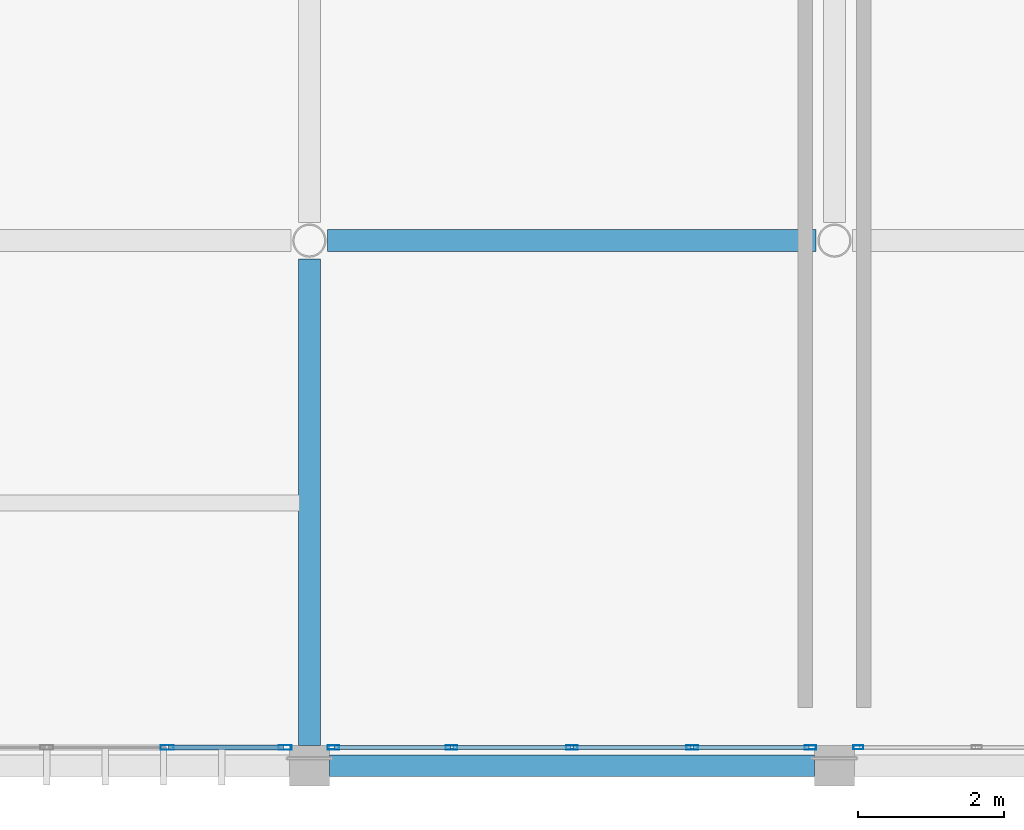
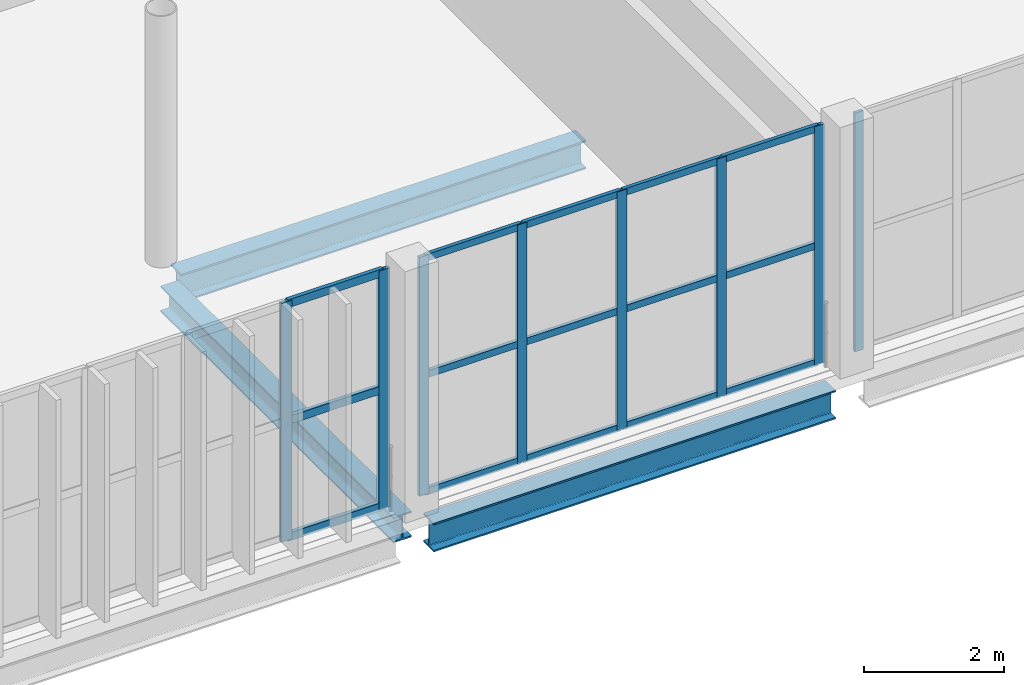
# One storey, part 19 of 81: 23 members, 3 beams, 3 elements without a shape of their own.
"""IFC4 building model written with IfcOpenShell, lengths in metres."""

from ifc_helpers import new_model, si_unit, direction, frame, origin, origin_2d, place, context, subcontext, project, spatial, hollow_rectangle, i_section, extrude, material, material_profile, profile_set, type_object, element, aggregate, save


model = new_model("IFC4")

# Units and contexts
model_context = context("Model", 3, precision=1e-05, world=origin(), true_north=direction((0.0, 1.0)))
body_context = subcontext(model_context, "Body", "Model", "MODEL_VIEW")
ifc_project = project(units=[si_unit("LENGTHUNIT", "METRE"), si_unit("AREAUNIT", "SQUARE_METRE"), si_unit("VOLUMEUNIT", "CUBIC_METRE"), si_unit("PLANEANGLEUNIT", "RADIAN"), si_unit("MASSUNIT", "GRAM", prefix="KILO")], contexts=[model_context])

# Site, building, storey
site_placement = place(None, origin())
site = spatial("IfcSite", under=ifc_project, at=site_placement, CompositionType="ELEMENT")
building_placement = place(site_placement, origin())
building = spatial("IfcBuilding", under=site, at=building_placement, Name="Qandorah Velis Arena", CompositionType="ELEMENT")
storey_placement = place(building_placement, frame((0.0, 0.0, 18.60009765625)))
storey = spatial("IfcBuildingStorey", under=building, at=storey_placement, Name="L04", CompositionType="ELEMENT", Elevation=18.60009765625)

# Curtain wall, member
ifc_material_1 = material(Name="Solar-control low-E double glazing", Category="glass")
curtain_wall_type_1 = type_object("IfcCurtainWallType", Name="ARC-CW-SYS04", PredefinedType="USERDEFINED", material=ifc_material_1)
curtain_wall_1_placement = place(storey_placement, origin())
curtain_wall_1 = element("IfcCurtainWall", 1, at=curtain_wall_1_placement, inside=storey, type_object=curtain_wall_type_1, Name="Unitised curtain wall L04-076", ObjectType="UNITISED CURTAIN WALL", PredefinedType="USERDEFINED")
ifc_material_2 = material(Name="Champagne-bronze anodized aluminium 6063-T6", Category="aluminium")
ifc_material_profile_1 = material_profile(ifc_material_2, hollow_rectangle(XDim=0.054931640625, YDim=0.139892578125, WallThickness=0.0029296875, at=origin_2d()), Name="ALU MULLION 55x140")
ifc_profile_set_1 = profile_set([ifc_material_profile_1], Name="Champagne-bronze anodized aluminium 6063-T6")
member_type_1 = type_object("IfcMemberType", Name="ARC-CWM-140", PredefinedType="MULLION", material=ifc_profile_set_1)
member_1_placement = place(storey_placement, frame((57.927490234375, 0.25, -0.01513671875), z_axis=(0.0, 0.0, 1.0), x_axis=(0.0, 1.0, 0.0)))
member_1 = element("IfcMember", 2, at=member_1_placement, type_object=member_type_1, Name="CW04 mullion 1", PredefinedType="MULLION", context=body_context, shape_type="SweptSolid", body=[
    extrude(hollow_rectangle(XDim=0.054931640625, YDim=0.139892578125, WallThickness=0.0029296875, at=origin_2d()), origin(), (0.0, 0.0, 1.0), 4.179931640625),
])
aggregate(curtain_wall_1, [member_1])

# Curtain wall, members
curtain_wall_type_2 = type_object("IfcCurtainWallType", Name="ARC-CW-SYS03", PredefinedType="USERDEFINED", material=ifc_material_1)
curtain_wall_2_placement = place(storey_placement, origin())
curtain_wall_2 = element("IfcCurtainWall", 3, at=curtain_wall_2_placement, inside=storey, type_object=curtain_wall_type_2, Name="Unitised curtain wall L04-075", ObjectType="UNITISED CURTAIN WALL", PredefinedType="USERDEFINED")
ifc_material_profile_2 = material_profile(ifc_material_2, hollow_rectangle(XDim=0.06005859375, YDim=0.159912109375, WallThickness=0.00341796875, at=origin_2d()), Name="ALU MULLION 60x160")
ifc_profile_set_2 = profile_set([ifc_material_profile_2], Name="Champagne-bronze anodized aluminium 6063-T6")
member_type_2 = type_object("IfcMemberType", Name="ARC-CWM-160", PredefinedType="MULLION", material=ifc_profile_set_2)
member_2_placement = place(storey_placement, frame((50.72998046875, 0.25, -0.01513671875), z_axis=(0.0, 0.0, 1.0), x_axis=(0.0, 1.0, 0.0)))
member_2 = element("IfcMember", 4, at=member_2_placement, type_object=member_type_2, Name="CW03 mullion 1", PredefinedType="MULLION", context=body_context, shape_type="SweptSolid", body=[
    extrude(hollow_rectangle(XDim=0.06005859375, YDim=0.159912109375, WallThickness=0.00341796875, at=origin_2d()), origin(), (0.0, 0.0, 1.0), 4.179931640625),
])
member_3_placement = place(storey_placement, frame((52.35009765625, 0.25, -0.01513671875), z_axis=(0.0, 0.0, 1.0), x_axis=(0.0, 1.0, 0.0)))
member_3 = element("IfcMember", 5, at=member_3_placement, type_object=member_type_2, Name="CW03 mullion 2", PredefinedType="MULLION", context=body_context, shape_type="SweptSolid", body=[
    extrude(hollow_rectangle(XDim=0.06005859375, YDim=0.159912109375, WallThickness=0.00341796875, at=origin_2d()), origin(), (0.0, 0.0, 1.0), 4.179931640625),
])
member_4_placement = place(storey_placement, frame((54.0, 0.25, -0.01513671875), z_axis=(0.0, 0.0, 1.0), x_axis=(0.0, 1.0, 0.0)))
member_4 = element("IfcMember", 6, at=member_4_placement, type_object=member_type_2, Name="CW03 mullion 3", PredefinedType="MULLION", context=body_context, shape_type="SweptSolid", body=[
    extrude(hollow_rectangle(XDim=0.06005859375, YDim=0.159912109375, WallThickness=0.00341796875, at=origin_2d()), origin(), (0.0, 0.0, 1.0), 4.179931640625),
])
member_5_placement = place(storey_placement, frame((55.64990234375, 0.25, -0.01513671875), z_axis=(0.0, 0.0, 1.0), x_axis=(0.0, 1.0, 0.0)))
member_5 = element("IfcMember", 7, at=member_5_placement, type_object=member_type_2, Name="CW03 mullion 4", PredefinedType="MULLION", context=body_context, shape_type="SweptSolid", body=[
    extrude(hollow_rectangle(XDim=0.06005859375, YDim=0.159912109375, WallThickness=0.00341796875, at=origin_2d()), origin(), (0.0, 0.0, 1.0), 4.179931640625),
])
member_6_placement = place(storey_placement, frame((57.27001953125, 0.25, -0.01513671875), z_axis=(0.0, 0.0, 1.0), x_axis=(0.0, 1.0, 0.0)))
member_6 = element("IfcMember", 8, at=member_6_placement, type_object=member_type_2, Name="CW03 mullion 5", PredefinedType="MULLION", context=body_context, shape_type="SweptSolid", body=[
    extrude(hollow_rectangle(XDim=0.06005859375, YDim=0.159912109375, WallThickness=0.00341796875, at=origin_2d()), origin(), (0.0, 0.0, 1.0), 4.179931640625),
])

curtain_wall_type_3 = type_object("IfcCurtainWallType", Name="ARC-CW-SYS02", PredefinedType="USERDEFINED", material=ifc_material_1)
curtain_wall_3_placement = place(storey_placement, origin())
curtain_wall_3 = element("IfcCurtainWall", 9, at=curtain_wall_3_placement, inside=storey, type_object=curtain_wall_type_3, Name="Unitised curtain wall L04-074", ObjectType="UNITISED CURTAIN WALL", PredefinedType="USERDEFINED")
ifc_material_profile_3 = material_profile(ifc_material_2, hollow_rectangle(XDim=0.06494140625, YDim=0.179931640625, WallThickness=0.00341796875, at=origin_2d()), Name="ALU MULLION 65x180")
ifc_profile_set_3 = profile_set([ifc_material_profile_3], Name="Champagne-bronze anodized aluminium 6063-T6")
member_type_3 = type_object("IfcMemberType", Name="ARC-CWM-180", PredefinedType="MULLION", material=ifc_profile_set_3)
member_7_placement = place(storey_placement, frame((48.449951171875, 0.25, -0.01513671875), z_axis=(0.0, 0.0, 1.0), x_axis=(0.0, 1.0, 0.0)))
member_7 = element("IfcMember", 10, at=member_7_placement, type_object=member_type_3, Name="CW02 mullion 4", PredefinedType="MULLION", context=body_context, shape_type="SweptSolid", body=[
    extrude(hollow_rectangle(XDim=0.06494140625, YDim=0.179931640625, WallThickness=0.00341796875, at=origin_2d()), origin(), (0.0, 0.0, 1.0), 4.179931640625),
])
member_8_placement = place(storey_placement, frame((50.0673828125, 0.25, -0.01513671875), z_axis=(0.0, 0.0, 1.0), x_axis=(0.0, 1.0, 0.0)))
member_8 = element("IfcMember", 11, at=member_8_placement, type_object=member_type_3, Name="CW02 mullion 5", PredefinedType="MULLION", context=body_context, shape_type="SweptSolid", body=[
    extrude(hollow_rectangle(XDim=0.06494140625, YDim=0.179931640625, WallThickness=0.00341796875, at=origin_2d()), origin(), (0.0, 0.0, 1.0), 4.179931640625),
])

# Member
ifc_material_profile_4 = material_profile(ifc_material_2, hollow_rectangle(XDim=0.06005859375, YDim=0.1201171875, WallThickness=0.0029296875, at=origin_2d()), Name="ALU TRANSOM 60x120")
ifc_profile_set_4 = profile_set([ifc_material_profile_4], Name="Champagne-bronze anodized aluminium 6063-T6")
member_type_4 = type_object("IfcMemberType", Name="ARC-CWT-120", PredefinedType="USERDEFINED", material=ifc_profile_set_4)
member_9_placement = place(storey_placement, frame((50.748046875, 0.25, 0.02978515625), z_axis=(1.0, 0.0, 0.0), x_axis=(0.0, 1.0, 0.0)))
member_9 = element("IfcMember", 12, at=member_9_placement, type_object=member_type_4, Name="CW03 transom 1.1", ObjectType="TRANSOM", PredefinedType="USERDEFINED", context=body_context, shape_type="SweptSolid", body=[
    extrude(hollow_rectangle(XDim=0.06005859375, YDim=0.1201171875, WallThickness=0.0029296875, at=origin_2d()), origin(), (0.0, 0.0, 1.0), 1.583984375),
])

member_10_placement = place(storey_placement, frame((50.748046875, 0.25, 2.074951171875), z_axis=(1.0, 0.0, 0.0), x_axis=(0.0, 1.0, 0.0)))
member_10 = element("IfcMember", 13, at=member_10_placement, type_object=member_type_4, Name="CW03 transom 1.2", ObjectType="TRANSOM", PredefinedType="USERDEFINED", context=body_context, shape_type="SweptSolid", body=[
    extrude(hollow_rectangle(XDim=0.06005859375, YDim=0.1201171875, WallThickness=0.0029296875, at=origin_2d()), origin(), (0.0, 0.0, 1.0), 1.583984375),
])

member_11_placement = place(storey_placement, frame((50.748046875, 0.25, 4.119873046875), z_axis=(1.0, 0.0, 0.0), x_axis=(0.0, 1.0, 0.0)))
member_11 = element("IfcMember", 14, at=member_11_placement, type_object=member_type_4, Name="CW03 transom 1.3", ObjectType="TRANSOM", PredefinedType="USERDEFINED", context=body_context, shape_type="SweptSolid", body=[
    extrude(hollow_rectangle(XDim=0.06005859375, YDim=0.1201171875, WallThickness=0.0029296875, at=origin_2d()), origin(), (0.0, 0.0, 1.0), 1.583984375),
])

member_12_placement = place(storey_placement, frame((52.367919921875, 0.25, 0.02978515625), z_axis=(1.0, 0.0, 0.0), x_axis=(0.0, 1.0, 0.0)))
member_12 = element("IfcMember", 15, at=member_12_placement, type_object=member_type_4, Name="CW03 transom 2.1", ObjectType="TRANSOM", PredefinedType="USERDEFINED", context=body_context, shape_type="SweptSolid", body=[
    extrude(hollow_rectangle(XDim=0.06005859375, YDim=0.1201171875, WallThickness=0.0029296875, at=origin_2d()), origin(), (0.0, 0.0, 1.0), 1.614013671875),
])

member_13_placement = place(storey_placement, frame((52.367919921875, 0.25, 2.074951171875), z_axis=(1.0, 0.0, 0.0), x_axis=(0.0, 1.0, 0.0)))
member_13 = element("IfcMember", 16, at=member_13_placement, type_object=member_type_4, Name="CW03 transom 2.2", ObjectType="TRANSOM", PredefinedType="USERDEFINED", context=body_context, shape_type="SweptSolid", body=[
    extrude(hollow_rectangle(XDim=0.06005859375, YDim=0.1201171875, WallThickness=0.0029296875, at=origin_2d()), origin(), (0.0, 0.0, 1.0), 1.614013671875),
])

member_14_placement = place(storey_placement, frame((52.367919921875, 0.25, 4.119873046875), z_axis=(1.0, 0.0, 0.0), x_axis=(0.0, 1.0, 0.0)))
member_14 = element("IfcMember", 17, at=member_14_placement, type_object=member_type_4, Name="CW03 transom 2.3", ObjectType="TRANSOM", PredefinedType="USERDEFINED", context=body_context, shape_type="SweptSolid", body=[
    extrude(hollow_rectangle(XDim=0.06005859375, YDim=0.1201171875, WallThickness=0.0029296875, at=origin_2d()), origin(), (0.0, 0.0, 1.0), 1.614013671875),
])

member_15_placement = place(storey_placement, frame((54.01806640625, 0.25, 0.02978515625), z_axis=(1.0, 0.0, 0.0), x_axis=(0.0, 1.0, 0.0)))
member_15 = element("IfcMember", 18, at=member_15_placement, type_object=member_type_4, Name="CW03 transom 3.1", ObjectType="TRANSOM", PredefinedType="USERDEFINED", context=body_context, shape_type="SweptSolid", body=[
    extrude(hollow_rectangle(XDim=0.06005859375, YDim=0.1201171875, WallThickness=0.0029296875, at=origin_2d()), origin(), (0.0, 0.0, 1.0), 1.614013671875),
])

member_16_placement = place(storey_placement, frame((54.01806640625, 0.25, 2.074951171875), z_axis=(1.0, 0.0, 0.0), x_axis=(0.0, 1.0, 0.0)))
member_16 = element("IfcMember", 19, at=member_16_placement, type_object=member_type_4, Name="CW03 transom 3.2", ObjectType="TRANSOM", PredefinedType="USERDEFINED", context=body_context, shape_type="SweptSolid", body=[
    extrude(hollow_rectangle(XDim=0.06005859375, YDim=0.1201171875, WallThickness=0.0029296875, at=origin_2d()), origin(), (0.0, 0.0, 1.0), 1.614013671875),
])

member_17_placement = place(storey_placement, frame((54.01806640625, 0.25, 4.119873046875), z_axis=(1.0, 0.0, 0.0), x_axis=(0.0, 1.0, 0.0)))
member_17 = element("IfcMember", 20, at=member_17_placement, type_object=member_type_4, Name="CW03 transom 3.3", ObjectType="TRANSOM", PredefinedType="USERDEFINED", context=body_context, shape_type="SweptSolid", body=[
    extrude(hollow_rectangle(XDim=0.06005859375, YDim=0.1201171875, WallThickness=0.0029296875, at=origin_2d()), origin(), (0.0, 0.0, 1.0), 1.614013671875),
])

member_18_placement = place(storey_placement, frame((55.66796875, 0.25, 0.02978515625), z_axis=(1.0, 0.0, 0.0), x_axis=(0.0, 1.0, 0.0)))
member_18 = element("IfcMember", 21, at=member_18_placement, type_object=member_type_4, Name="CW03 transom 4.1", ObjectType="TRANSOM", PredefinedType="USERDEFINED", context=body_context, shape_type="SweptSolid", body=[
    extrude(hollow_rectangle(XDim=0.06005859375, YDim=0.1201171875, WallThickness=0.0029296875, at=origin_2d()), origin(), (0.0, 0.0, 1.0), 1.583984375),
])

member_19_placement = place(storey_placement, frame((55.66796875, 0.25, 2.074951171875), z_axis=(1.0, 0.0, 0.0), x_axis=(0.0, 1.0, 0.0)))
member_19 = element("IfcMember", 22, at=member_19_placement, type_object=member_type_4, Name="CW03 transom 4.2", ObjectType="TRANSOM", PredefinedType="USERDEFINED", context=body_context, shape_type="SweptSolid", body=[
    extrude(hollow_rectangle(XDim=0.06005859375, YDim=0.1201171875, WallThickness=0.0029296875, at=origin_2d()), origin(), (0.0, 0.0, 1.0), 1.583984375),
])

member_20_placement = place(storey_placement, frame((55.66796875, 0.25, 4.119873046875), z_axis=(1.0, 0.0, 0.0), x_axis=(0.0, 1.0, 0.0)))
member_20 = element("IfcMember", 23, at=member_20_placement, type_object=member_type_4, Name="CW03 transom 4.3", ObjectType="TRANSOM", PredefinedType="USERDEFINED", context=body_context, shape_type="SweptSolid", body=[
    extrude(hollow_rectangle(XDim=0.06005859375, YDim=0.1201171875, WallThickness=0.0029296875, at=origin_2d()), origin(), (0.0, 0.0, 1.0), 1.583984375),
])

aggregate(curtain_wall_2, [member_2, member_3, member_4, member_5, member_6, member_9, member_10, member_11, member_12, member_13, member_14, member_15, member_16, member_17, member_18, member_19, member_20])

ifc_material_profile_5 = material_profile(ifc_material_2, hollow_rectangle(XDim=0.06494140625, YDim=0.139892578125, WallThickness=0.0029296875, at=origin_2d()), Name="ALU TRANSOM 65x140")
ifc_profile_set_5 = profile_set([ifc_material_profile_5], Name="Champagne-bronze anodized aluminium 6063-T6")
member_type_5 = type_object("IfcMemberType", Name="ARC-CWT-140", PredefinedType="USERDEFINED", material=ifc_profile_set_5)
member_21_placement = place(storey_placement, frame((48.470458984375, 0.25, 0.032470703125), z_axis=(1.0, 0.0, 0.0), x_axis=(0.0, 1.0, 0.0)))
member_21 = element("IfcMember", 24, at=member_21_placement, type_object=member_type_5, Name="CW02 transom 4.1", ObjectType="TRANSOM", PredefinedType="USERDEFINED", context=body_context, shape_type="SweptSolid", body=[
    extrude(hollow_rectangle(XDim=0.06494140625, YDim=0.139892578125, WallThickness=0.0029296875, at=origin_2d()), origin(), (0.0, 0.0, 1.0), 1.57666015625),
])

member_22_placement = place(storey_placement, frame((48.470458984375, 0.25, 2.074951171875), z_axis=(1.0, 0.0, 0.0), x_axis=(0.0, 1.0, 0.0)))
member_22 = element("IfcMember", 25, at=member_22_placement, type_object=member_type_5, Name="CW02 transom 4.2", ObjectType="TRANSOM", PredefinedType="USERDEFINED", context=body_context, shape_type="SweptSolid", body=[
    extrude(hollow_rectangle(XDim=0.06494140625, YDim=0.139892578125, WallThickness=0.0029296875, at=origin_2d()), origin(), (0.0, 0.0, 1.0), 1.57666015625),
])

member_23_placement = place(storey_placement, frame((48.470458984375, 0.25, 4.117431640625), z_axis=(1.0, 0.0, 0.0), x_axis=(0.0, 1.0, 0.0)))
member_23 = element("IfcMember", 26, at=member_23_placement, type_object=member_type_5, Name="CW02 transom 4.3", ObjectType="TRANSOM", PredefinedType="USERDEFINED", context=body_context, shape_type="SweptSolid", body=[
    extrude(hollow_rectangle(XDim=0.06494140625, YDim=0.139892578125, WallThickness=0.0029296875, at=origin_2d()), origin(), (0.0, 0.0, 1.0), 1.57666015625),
])

aggregate(curtain_wall_3, [member_7, member_8, member_21, member_22, member_23])

# Beams
ifc_material_3 = material(Name="Steel S355", Category="steel")
ifc_material_profile_6 = material_profile(ifc_material_3, i_section(OverallWidth=0.300048828125, OverallDepth=0.449951171875, WebThickness=0.013916015625, FlangeThickness=0.02587890625, FilletRadius=0.027099609375, at=origin_2d()), Name="HEB 450")
ifc_profile_set_6 = profile_set([ifc_material_profile_6], Name="Steel S355")
beam_type_1 = type_object("IfcBeamType", Name="STR-BM-HEB450", PredefinedType="BEAM", material=ifc_profile_set_6)
beam_1_placement = place(storey_placement, frame((50.39990234375, 0.27490234375, -0.4951171875), z_axis=(0.0, 1.0, 0.0), x_axis=(-1.0, 0.0, 0.0)))
element("IfcBeam", 27, at=beam_1_placement, inside=storey, type_object=beam_type_1, Name="Primary floor girder L04 Y-208", PredefinedType="BEAM", context=body_context, shape_type="SweptSolid", body=[
    extrude(i_section(OverallWidth=0.300048828125, OverallDepth=0.449951171875, WebThickness=0.013916015625, FlangeThickness=0.02587890625, FilletRadius=0.027099609375, at=origin_2d()), origin(), (0.0, 0.0, 1.0), 6.675048828125),
])
ifc_material_profile_7 = material_profile(ifc_material_3, i_section(OverallWidth=0.300048828125, OverallDepth=0.5, WebThickness=0.014404296875, FlangeThickness=0.028076171875, FilletRadius=0.027099609375, at=origin_2d()), Name="HEB 500")
ifc_profile_set_7 = profile_set([ifc_material_profile_7], Name="Steel S355")
beam_type_2 = type_object("IfcBeamType", Name="STR-BM-HEB500", PredefinedType="BEAM", material=ifc_profile_set_7)
beam_2_placement = place(storey_placement, frame((50.675048828125, 0.0, -0.52001953125), z_axis=(1.0, 0.0, 0.0), x_axis=(0.0, 1.0, 0.0)))
element("IfcBeam", 28, at=beam_2_placement, inside=storey, type_object=beam_type_2, Name="Primary floor girder L04 X-004", PredefinedType="BEAM", context=body_context, shape_type="SweptSolid", body=[
    extrude(i_section(OverallWidth=0.300048828125, OverallDepth=0.5, WebThickness=0.014404296875, FlangeThickness=0.028076171875, FilletRadius=0.027099609375, at=origin_2d()), origin(), (0.0, 0.0, 1.0), 6.64990234375),
])
beam_3_placement = place(storey_placement, frame((50.64990234375, 7.199951171875, -0.52001953125), z_axis=(1.0, 0.0, 0.0), x_axis=(0.0, 1.0, 0.0)))
element("IfcBeam", 29, at=beam_3_placement, inside=storey, type_object=beam_type_2, Name="Primary floor girder L04 X-016", PredefinedType="BEAM", context=body_context, shape_type="SweptSolid", body=[
    extrude(i_section(OverallWidth=0.300048828125, OverallDepth=0.5, WebThickness=0.014404296875, FlangeThickness=0.028076171875, FilletRadius=0.027099609375, at=origin_2d()), origin(), (0.0, 0.0, 1.0), 6.7001953125),
])

save(model, "model.ifc")
